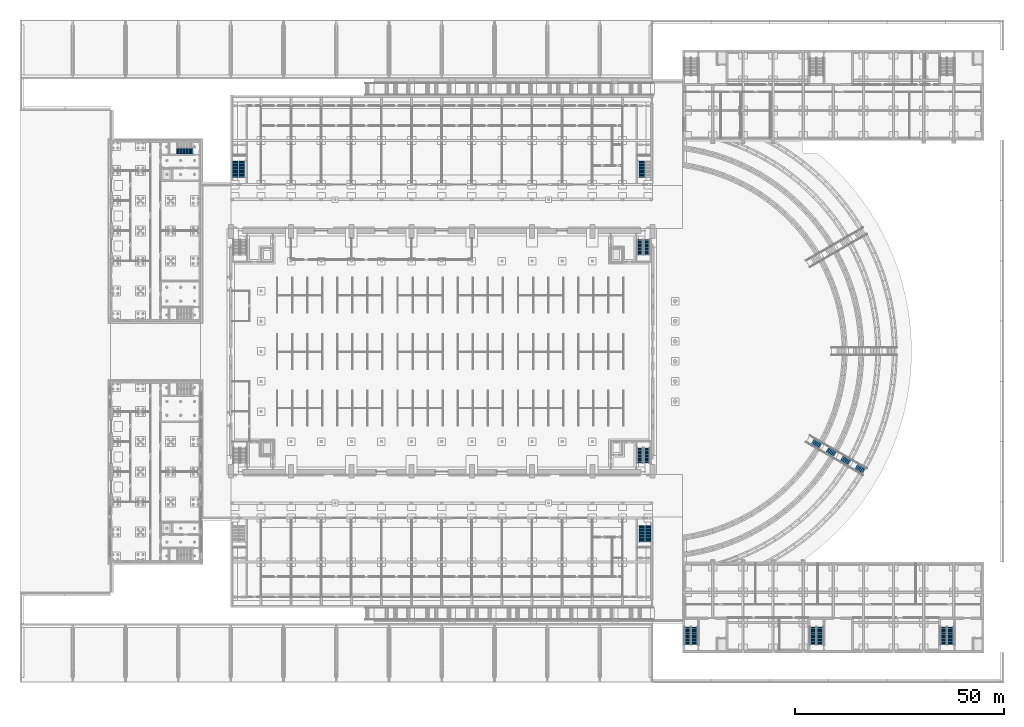
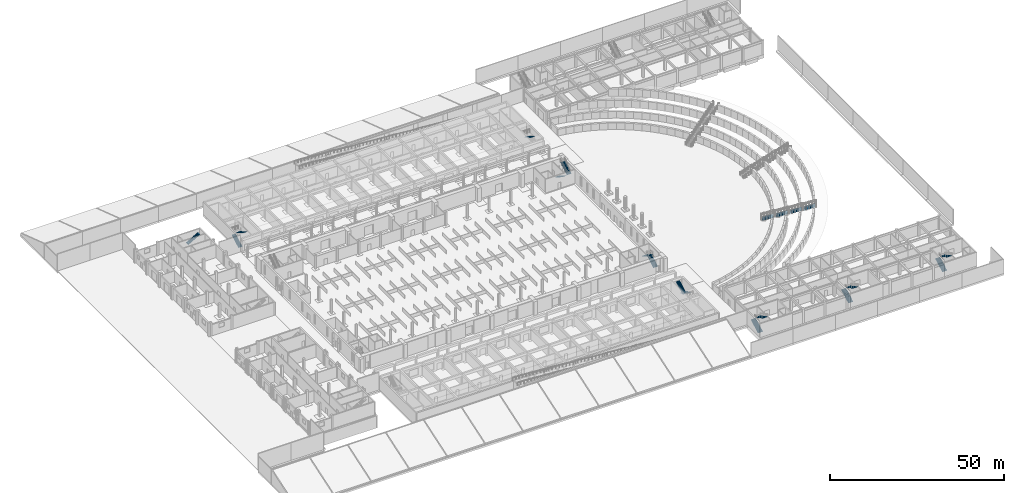
# One storey, part 60 of 73: 20 stair flights, 13 elements without a shape of their own.
"""IFC4 building model written with IfcOpenShell, lengths in metres."""

from ifc_helpers import new_model, si_unit, direction, frame, origin, place, context, subcontext, project, spatial, polyline, outline, extrude, material, type_object, element, aggregate, save


model = new_model("IFC4")

# Units and contexts
model_context = context("Model", 3, precision=1e-05, world=origin(), true_north=direction((0.0, 1.0)))
body_context = subcontext(model_context, "Body", "Model", "MODEL_VIEW")
ifc_project = project(units=[si_unit("LENGTHUNIT", "METRE"), si_unit("AREAUNIT", "SQUARE_METRE"), si_unit("VOLUMEUNIT", "CUBIC_METRE"), si_unit("PLANEANGLEUNIT", "RADIAN"), si_unit("MASSUNIT", "GRAM", prefix="KILO")], contexts=[model_context])

# Site, building, storey
site_placement = place(None, origin())
site = spatial("IfcSite", under=ifc_project, at=site_placement, CompositionType="ELEMENT")
building_placement = place(site_placement, origin())
building = spatial("IfcBuilding", under=site, at=building_placement, Name="Alderwick Market Hall", CompositionType="ELEMENT")
storey_placement = place(building_placement, origin())
storey = spatial("IfcBuildingStorey", under=building, at=storey_placement, Name="LG", CompositionType="ELEMENT", Elevation=0.0)

# Stair, stair flights
ifc_material = material(Name="Concrete 5000 psi (f'c 35 MPa)", Category="concrete")
stair_type_1 = type_object("IfcStairType", Name="A Roof Stair 1300", PredefinedType="TWO_STRAIGHT_RUN_STAIR", material=ifc_material)
stair_1_placement = place(storey_placement, origin())
stair_1 = element("IfcStair", 1, at=stair_1_placement, inside=storey, type_object=stair_type_1, Name="Roof stair NW", PredefinedType="TWO_STRAIGHT_RUN_STAIR")
stair_flight_type_1 = type_object("IfcStairFlightType", Name="A Stair Flight 1300", PredefinedType="STRAIGHT", material=ifc_material)
stair_flight_1_placement = place(storey_placement, frame((51.449951171875, 120.800048828125, 0.0), z_axis=(0.0, 0.0, 1.0), x_axis=(0.0, 1.0, 0.0)))
stair_flight_1 = element("IfcStairFlight", 2, at=stair_flight_1_placement, type_object=stair_flight_type_1, Name="A-ST-NW flight 1", NumberOfRisers=15, NumberOfTreads=14, PredefinedType="STRAIGHT", RiserHeight=0.16, TreadLength=0.28, context=body_context, shape_type="SweptSolid", body=[
    extrude(outline(polyline([(0.00537109375, -0.009521484375), (0.0, 0.0), (0.0, 0.159912109375), (0.280029296875, 0.159912109375), (0.280029296875, 0.320068359375), (0.56005859375, 0.320068359375), (0.56005859375, 0.47998046875), (0.840087890625, 0.47998046875), (0.840087890625, 0.639892578125), (1.1201171875, 0.639892578125), (1.1201171875, 0.800048828125), (1.39990234375, 0.800048828125), (1.39990234375, 0.9599609375), (1.679931640625, 0.9599609375), (1.679931640625, 1.1201171875), (1.9599609375, 1.1201171875), (1.9599609375, 1.280029296875), (2.239990234375, 1.280029296875), (2.239990234375, 1.43994140625), (2.52001953125, 1.43994140625), (2.52001953125, 1.60009765625), (2.800048828125, 1.60009765625), (2.800048828125, 1.760009765625), (3.080078125, 1.760009765625), (3.080078125, 1.919921875), (3.360107421875, 1.919921875), (3.360107421875, 2.080078125), (3.639892578125, 2.080078125), (3.639892578125, 2.239990234375), (3.919921875, 2.239990234375), (3.919921875, 2.227294921875), (0.00537109375, -0.009521484375)])), frame((0.0, 0.64990234375, 0.0), z_axis=(0.0, -1.0, 0.0), x_axis=(1.0, 0.0, 0.0)), (0.0, 0.0, 1.0), 1.300048828125),
])
stair_flight_2_placement = place(storey_placement, frame((53.0, 124.719970703125, 2.39990234375), z_axis=(0.0, 0.0, 1.0), x_axis=(0.0, -1.0, 0.0)))
stair_flight_2 = element("IfcStairFlight", 3, at=stair_flight_2_placement, type_object=stair_flight_type_1, Name="A-ST-NW flight 2", NumberOfRisers=15, NumberOfTreads=14, PredefinedType="STRAIGHT", RiserHeight=0.16, TreadLength=0.28, context=body_context, shape_type="SweptSolid", body=[
    extrude(outline(polyline([(0.00537109375, -0.009521484375), (0.0, 0.0), (0.0, 0.159912109375), (0.280029296875, 0.159912109375), (0.280029296875, 0.320068359375), (0.56005859375, 0.320068359375), (0.56005859375, 0.47998046875), (0.840087890625, 0.47998046875), (0.840087890625, 0.639892578125), (1.1201171875, 0.639892578125), (1.1201171875, 0.800048828125), (1.39990234375, 0.800048828125), (1.39990234375, 0.9599609375), (1.679931640625, 0.9599609375), (1.679931640625, 1.1201171875), (1.9599609375, 1.1201171875), (1.9599609375, 1.280029296875), (2.239990234375, 1.280029296875), (2.239990234375, 1.43994140625), (2.52001953125, 1.43994140625), (2.52001953125, 1.60009765625), (2.800048828125, 1.60009765625), (2.800048828125, 1.760009765625), (3.080078125, 1.760009765625), (3.080078125, 1.919921875), (3.360107421875, 1.919921875), (3.360107421875, 2.080078125), (3.639892578125, 2.080078125), (3.639892578125, 2.239990234375), (3.919921875, 2.239990234375), (3.919921875, 2.227294921875), (0.00537109375, -0.009521484375)])), frame((0.0, 0.64990234375, 0.0), z_axis=(0.0, -1.0, 0.0), x_axis=(1.0, 0.0, 0.0)), (0.0, 0.0, 1.0), 1.300048828125),
])
aggregate(stair_1, [stair_flight_1, stair_flight_2])

# Stair, stair flight
stair_2_placement = place(storey_placement, origin())
stair_2 = element("IfcStair", 4, at=stair_2_placement, inside=storey, type_object=stair_type_1, Name="Roof stair NE", PredefinedType="TWO_STRAIGHT_RUN_STAIR")
stair_flight_3_placement = place(storey_placement, frame((148.60009765625, 124.719970703125, 2.39990234375), z_axis=(0.0, 0.0, 1.0), x_axis=(0.0, -1.0, 0.0)))
stair_flight_3 = element("IfcStairFlight", 5, at=stair_flight_3_placement, type_object=stair_flight_type_1, Name="A-ST-NE flight 2", NumberOfRisers=15, NumberOfTreads=14, PredefinedType="STRAIGHT", RiserHeight=0.16, TreadLength=0.28, context=body_context, shape_type="SweptSolid", body=[
    extrude(outline(polyline([(0.00537109375, -0.009521484375), (0.0, 0.0), (0.0, 0.159912109375), (0.280029296875, 0.159912109375), (0.280029296875, 0.320068359375), (0.56005859375, 0.320068359375), (0.56005859375, 0.47998046875), (0.840087890625, 0.47998046875), (0.840087890625, 0.639892578125), (1.1201171875, 0.639892578125), (1.1201171875, 0.800048828125), (1.39990234375, 0.800048828125), (1.39990234375, 0.9599609375), (1.679931640625, 0.9599609375), (1.679931640625, 1.1201171875), (1.9599609375, 1.1201171875), (1.9599609375, 1.280029296875), (2.239990234375, 1.280029296875), (2.239990234375, 1.43994140625), (2.52001953125, 1.43994140625), (2.52001953125, 1.60009765625), (2.800048828125, 1.60009765625), (2.800048828125, 1.760009765625), (3.080078125, 1.760009765625), (3.080078125, 1.919921875), (3.360107421875, 1.919921875), (3.360107421875, 2.080078125), (3.639892578125, 2.080078125), (3.639892578125, 2.239990234375), (3.919921875, 2.239990234375), (3.919921875, 2.227294921875), (0.00537109375, -0.009521484375)])), frame((0.0, 0.64990234375, 0.0), z_axis=(0.0, -1.0, 0.0), x_axis=(1.0, 0.0, 0.0)), (0.0, 0.0, 1.0), 1.300048828125),
])
aggregate(stair_2, [stair_flight_3])

# Stair, stair flights
stair_3_placement = place(storey_placement, origin())
stair_3 = element("IfcStair", 6, at=stair_3_placement, inside=storey, type_object=stair_type_1, Name="Roof stair SE", PredefinedType="TWO_STRAIGHT_RUN_STAIR")
stair_flight_4_placement = place(storey_placement, frame((150.14990234375, 37.60009765625, 0.0), z_axis=(0.0, 0.0, 1.0), x_axis=(0.0, -1.0, 0.0)))
stair_flight_4 = element("IfcStairFlight", 7, at=stair_flight_4_placement, type_object=stair_flight_type_1, Name="A-ST-SE flight 1", NumberOfRisers=15, NumberOfTreads=14, PredefinedType="STRAIGHT", RiserHeight=0.16, TreadLength=0.28, context=body_context, shape_type="SweptSolid", body=[
    extrude(outline(polyline([(0.00537109375, -0.009521484375), (0.0, 0.0), (0.0, 0.159912109375), (0.280029296875, 0.159912109375), (0.280029296875, 0.320068359375), (0.56005859375, 0.320068359375), (0.56005859375, 0.47998046875), (0.840087890625, 0.47998046875), (0.840087890625, 0.639892578125), (1.1201171875, 0.639892578125), (1.1201171875, 0.800048828125), (1.39990234375, 0.800048828125), (1.39990234375, 0.9599609375), (1.679931640625, 0.9599609375), (1.679931640625, 1.1201171875), (1.9599609375, 1.1201171875), (1.9599609375, 1.280029296875), (2.239990234375, 1.280029296875), (2.239990234375, 1.43994140625), (2.52001953125, 1.43994140625), (2.52001953125, 1.60009765625), (2.800048828125, 1.60009765625), (2.800048828125, 1.760009765625), (3.080078125, 1.760009765625), (3.080078125, 1.919921875), (3.360107421875, 1.919921875), (3.360107421875, 2.080078125), (3.639892578125, 2.080078125), (3.639892578125, 2.239990234375), (3.919921875, 2.239990234375), (3.919921875, 2.227294921875), (0.00537109375, -0.009521484375)])), frame((0.0, 0.64990234375, 0.0), z_axis=(0.0, -1.0, 0.0), x_axis=(1.0, 0.0, 0.0)), (0.0, 0.0, 1.0), 1.300048828125),
])
stair_flight_5_placement = place(storey_placement, frame((148.60009765625, 33.679931640625, 2.39990234375), z_axis=(0.0, 0.0, 1.0), x_axis=(0.0, 1.0, 0.0)))
stair_flight_5 = element("IfcStairFlight", 8, at=stair_flight_5_placement, type_object=stair_flight_type_1, Name="A-ST-SE flight 2", NumberOfRisers=15, NumberOfTreads=14, PredefinedType="STRAIGHT", RiserHeight=0.16, TreadLength=0.28, context=body_context, shape_type="SweptSolid", body=[
    extrude(outline(polyline([(0.00537109375, -0.009521484375), (0.0, 0.0), (0.0, 0.159912109375), (0.280029296875, 0.159912109375), (0.280029296875, 0.320068359375), (0.56005859375, 0.320068359375), (0.56005859375, 0.47998046875), (0.840087890625, 0.47998046875), (0.840087890625, 0.639892578125), (1.1201171875, 0.639892578125), (1.1201171875, 0.800048828125), (1.39990234375, 0.800048828125), (1.39990234375, 0.9599609375), (1.679931640625, 0.9599609375), (1.679931640625, 1.1201171875), (1.9599609375, 1.1201171875), (1.9599609375, 1.280029296875), (2.239990234375, 1.280029296875), (2.239990234375, 1.43994140625), (2.52001953125, 1.43994140625), (2.52001953125, 1.60009765625), (2.800048828125, 1.60009765625), (2.800048828125, 1.760009765625), (3.080078125, 1.760009765625), (3.080078125, 1.919921875), (3.360107421875, 1.919921875), (3.360107421875, 2.080078125), (3.639892578125, 2.080078125), (3.639892578125, 2.239990234375), (3.919921875, 2.239990234375), (3.919921875, 2.227294921875), (0.00537109375, -0.009521484375)])), frame((0.0, 0.64990234375, 0.0), z_axis=(0.0, -1.0, 0.0), x_axis=(1.0, 0.0, 0.0)), (0.0, 0.0, 1.0), 1.300048828125),
])
aggregate(stair_3, [stair_flight_4, stair_flight_5])

# Stair, stair flight
stair_type_2 = type_object("IfcStairType", Name="B Exit Stair 1300", PredefinedType="TWO_STRAIGHT_RUN_STAIR", material=ifc_material)
stair_4_placement = place(storey_placement, origin())
stair_4 = element("IfcStair", 9, at=stair_4_placement, inside=storey, type_object=stair_type_2, Name="Stair N-1 LG", PredefinedType="TWO_STRAIGHT_RUN_STAIR")
stair_flight_type_2 = type_object("IfcStairFlightType", Name="B Stair Flight 1300", PredefinedType="STRAIGHT", material=ifc_material)
stair_flight_6_placement = place(storey_placement, frame((37.3798828125, 127.0, 2.39990234375), z_axis=(0.0, 0.0, 1.0), x_axis=(1.0, 0.0, 0.0)))
stair_flight_6 = element("IfcStairFlight", 10, at=stair_flight_6_placement, type_object=stair_flight_type_2, Name="B-ST-N-1-LG flight 2", NumberOfRisers=15, NumberOfTreads=14, PredefinedType="STRAIGHT", RiserHeight=0.16, TreadLength=0.28, context=body_context, shape_type="SweptSolid", body=[
    extrude(outline(polyline([(0.00537109375, -0.009521484375), (0.0, 0.0), (0.0, 0.159912109375), (0.280029296875, 0.159912109375), (0.280029296875, 0.320068359375), (0.56005859375, 0.320068359375), (0.56005859375, 0.47998046875), (0.840087890625, 0.47998046875), (0.840087890625, 0.639892578125), (1.1201171875, 0.639892578125), (1.1201171875, 0.800048828125), (1.39990234375, 0.800048828125), (1.39990234375, 0.9599609375), (1.679931640625, 0.9599609375), (1.679931640625, 1.1201171875), (1.9599609375, 1.1201171875), (1.9599609375, 1.280029296875), (2.239990234375, 1.280029296875), (2.239990234375, 1.43994140625), (2.52001953125, 1.43994140625), (2.52001953125, 1.60009765625), (2.800048828125, 1.60009765625), (2.800048828125, 1.760009765625), (3.080078125, 1.760009765625), (3.080078125, 1.919921875), (3.360107421875, 1.919921875), (3.360107421875, 2.080078125), (3.639892578125, 2.080078125), (3.639892578125, 2.239990234375), (3.919921875, 2.239990234375), (3.919921875, 2.227294921875), (0.00537109375, -0.009521484375)])), frame((0.0, 0.64990234375, 0.0), z_axis=(0.0, -1.0, 0.0), x_axis=(1.0, 0.0, 0.0)), (0.0, 0.0, 1.0), 1.300048828125),
])
aggregate(stair_4, [stair_flight_6])

# Stair, stair flights
stair_type_3 = type_object("IfcStairType", Name="C Exit Stair 1600", PredefinedType="HALF_TURN_STAIR", material=ifc_material)
stair_5_placement = place(storey_placement, origin())
stair_5 = element("IfcStair", 11, at=stair_5_placement, inside=storey, type_object=stair_type_3, Name="C.stair.LG.A", PredefinedType="HALF_TURN_STAIR")
stair_flight_type_3 = type_object("IfcStairFlightType", Name="C Stair Flight 1600", PredefinedType="STRAIGHT", material=ifc_material)
stair_flight_7_placement = place(storey_placement, frame((159.60009765625, 9.10009765625, 0.0), z_axis=(0.0, 0.0, 1.0), x_axis=(0.0, 1.0, 0.0)))
stair_flight_7 = element("IfcStairFlight", 12, at=stair_flight_7_placement, type_object=stair_flight_type_3, Name="C-ST-A-LG flight 1", NumberOfRisers=16, NumberOfTreads=15, PredefinedType="STRAIGHT", RiserHeight=0.15, TreadLength=0.28, context=body_context, shape_type="SweptSolid", body=[
    extrude(outline(polyline([(0.00830078125, -0.015625), (0.0, 0.0), (0.0, 0.14990234375), (0.280029296875, 0.14990234375), (0.280029296875, 0.300048828125), (0.56005859375, 0.300048828125), (0.56005859375, 0.449951171875), (0.840087890625, 0.449951171875), (0.840087890625, 0.60009765625), (1.1201171875, 0.60009765625), (1.1201171875, 0.75), (1.39990234375, 0.75), (1.39990234375, 0.89990234375), (1.679931640625, 0.89990234375), (1.679931640625, 1.050048828125), (1.9599609375, 1.050048828125), (1.9599609375, 1.199951171875), (2.239990234375, 1.199951171875), (2.239990234375, 1.35009765625), (2.52001953125, 1.35009765625), (2.52001953125, 1.5), (2.800048828125, 1.5), (2.800048828125, 1.64990234375), (3.080078125, 1.64990234375), (3.080078125, 1.800048828125), (3.360107421875, 1.800048828125), (3.360107421875, 1.949951171875), (3.639892578125, 1.949951171875), (3.639892578125, 2.10009765625), (3.919921875, 2.10009765625), (3.919921875, 2.25), (4.199951171875, 2.25), (4.199951171875, 2.22998046875), (0.00830078125, -0.015625)])), frame((0.0, 0.800048828125, 0.0), z_axis=(0.0, -1.0, 0.0), x_axis=(1.0, 0.0, 0.0)), (0.0, 0.0, 1.0), 1.60009765625),
])
stair_flight_8_placement = place(storey_placement, frame((161.199951171875, 13.300048828125, 2.39990234375), z_axis=(0.0, 0.0, 1.0), x_axis=(0.0, -1.0, 0.0)))
stair_flight_8 = element("IfcStairFlight", 13, at=stair_flight_8_placement, type_object=stair_flight_type_3, Name="C-ST-A-LG flight 2", NumberOfRisers=16, NumberOfTreads=15, PredefinedType="STRAIGHT", RiserHeight=0.15, TreadLength=0.28, context=body_context, shape_type="SweptSolid", body=[
    extrude(outline(polyline([(0.00830078125, -0.015625), (0.0, 0.0), (0.0, 0.14990234375), (0.280029296875, 0.14990234375), (0.280029296875, 0.300048828125), (0.56005859375, 0.300048828125), (0.56005859375, 0.449951171875), (0.840087890625, 0.449951171875), (0.840087890625, 0.60009765625), (1.1201171875, 0.60009765625), (1.1201171875, 0.75), (1.39990234375, 0.75), (1.39990234375, 0.89990234375), (1.679931640625, 0.89990234375), (1.679931640625, 1.050048828125), (1.9599609375, 1.050048828125), (1.9599609375, 1.199951171875), (2.239990234375, 1.199951171875), (2.239990234375, 1.35009765625), (2.52001953125, 1.35009765625), (2.52001953125, 1.5), (2.800048828125, 1.5), (2.800048828125, 1.64990234375), (3.080078125, 1.64990234375), (3.080078125, 1.800048828125), (3.360107421875, 1.800048828125), (3.360107421875, 1.949951171875), (3.639892578125, 1.949951171875), (3.639892578125, 2.10009765625), (3.919921875, 2.10009765625), (3.919921875, 2.25), (4.199951171875, 2.25), (4.199951171875, 2.22998046875), (0.00830078125, -0.015625)])), frame((0.0, 0.800048828125, 0.0), z_axis=(0.0, -1.0, 0.0), x_axis=(1.0, 0.0, 0.0)), (0.0, 0.0, 1.0), 1.60009765625),
])
aggregate(stair_5, [stair_flight_7, stair_flight_8])

stair_6_placement = place(storey_placement, origin())
stair_6 = element("IfcStair", 14, at=stair_6_placement, inside=storey, type_object=stair_type_3, Name="C.stair.LG.B", PredefinedType="HALF_TURN_STAIR")
stair_flight_9_placement = place(storey_placement, frame((189.60009765625, 9.10009765625, 0.0), z_axis=(0.0, 0.0, 1.0), x_axis=(0.0, 1.0, 0.0)))
stair_flight_9 = element("IfcStairFlight", 15, at=stair_flight_9_placement, type_object=stair_flight_type_3, Name="C-ST-B-LG flight 1", NumberOfRisers=16, NumberOfTreads=15, PredefinedType="STRAIGHT", RiserHeight=0.15, TreadLength=0.28, context=body_context, shape_type="SweptSolid", body=[
    extrude(outline(polyline([(0.00830078125, -0.015625), (0.0, 0.0), (0.0, 0.14990234375), (0.280029296875, 0.14990234375), (0.280029296875, 0.300048828125), (0.56005859375, 0.300048828125), (0.56005859375, 0.449951171875), (0.840087890625, 0.449951171875), (0.840087890625, 0.60009765625), (1.1201171875, 0.60009765625), (1.1201171875, 0.75), (1.39990234375, 0.75), (1.39990234375, 0.89990234375), (1.679931640625, 0.89990234375), (1.679931640625, 1.050048828125), (1.9599609375, 1.050048828125), (1.9599609375, 1.199951171875), (2.239990234375, 1.199951171875), (2.239990234375, 1.35009765625), (2.52001953125, 1.35009765625), (2.52001953125, 1.5), (2.800048828125, 1.5), (2.800048828125, 1.64990234375), (3.080078125, 1.64990234375), (3.080078125, 1.800048828125), (3.360107421875, 1.800048828125), (3.360107421875, 1.949951171875), (3.639892578125, 1.949951171875), (3.639892578125, 2.10009765625), (3.919921875, 2.10009765625), (3.919921875, 2.25), (4.199951171875, 2.25), (4.199951171875, 2.22998046875), (0.00830078125, -0.015625)])), frame((0.0, 0.800048828125, 0.0), z_axis=(0.0, -1.0, 0.0), x_axis=(1.0, 0.0, 0.0)), (0.0, 0.0, 1.0), 1.60009765625),
])
stair_flight_10_placement = place(storey_placement, frame((191.199951171875, 13.300048828125, 2.39990234375), z_axis=(0.0, 0.0, 1.0), x_axis=(0.0, -1.0, 0.0)))
stair_flight_10 = element("IfcStairFlight", 16, at=stair_flight_10_placement, type_object=stair_flight_type_3, Name="C-ST-B-LG flight 2", NumberOfRisers=16, NumberOfTreads=15, PredefinedType="STRAIGHT", RiserHeight=0.15, TreadLength=0.28, context=body_context, shape_type="SweptSolid", body=[
    extrude(outline(polyline([(0.00830078125, -0.015625), (0.0, 0.0), (0.0, 0.14990234375), (0.280029296875, 0.14990234375), (0.280029296875, 0.300048828125), (0.56005859375, 0.300048828125), (0.56005859375, 0.449951171875), (0.840087890625, 0.449951171875), (0.840087890625, 0.60009765625), (1.1201171875, 0.60009765625), (1.1201171875, 0.75), (1.39990234375, 0.75), (1.39990234375, 0.89990234375), (1.679931640625, 0.89990234375), (1.679931640625, 1.050048828125), (1.9599609375, 1.050048828125), (1.9599609375, 1.199951171875), (2.239990234375, 1.199951171875), (2.239990234375, 1.35009765625), (2.52001953125, 1.35009765625), (2.52001953125, 1.5), (2.800048828125, 1.5), (2.800048828125, 1.64990234375), (3.080078125, 1.64990234375), (3.080078125, 1.800048828125), (3.360107421875, 1.800048828125), (3.360107421875, 1.949951171875), (3.639892578125, 1.949951171875), (3.639892578125, 2.10009765625), (3.919921875, 2.10009765625), (3.919921875, 2.25), (4.199951171875, 2.25), (4.199951171875, 2.22998046875), (0.00830078125, -0.015625)])), frame((0.0, 0.800048828125, 0.0), z_axis=(0.0, -1.0, 0.0), x_axis=(1.0, 0.0, 0.0)), (0.0, 0.0, 1.0), 1.60009765625),
])
aggregate(stair_6, [stair_flight_9, stair_flight_10])

stair_7_placement = place(storey_placement, origin())
stair_7 = element("IfcStair", 17, at=stair_7_placement, inside=storey, type_object=stair_type_3, Name="C.stair.LG.C", PredefinedType="HALF_TURN_STAIR")
stair_flight_11_placement = place(storey_placement, frame((220.800048828125, 9.10009765625, 0.0), z_axis=(0.0, 0.0, 1.0), x_axis=(0.0, 1.0, 0.0)))
stair_flight_11 = element("IfcStairFlight", 18, at=stair_flight_11_placement, type_object=stair_flight_type_3, Name="C-ST-C-LG flight 1", NumberOfRisers=16, NumberOfTreads=15, PredefinedType="STRAIGHT", RiserHeight=0.15, TreadLength=0.28, context=body_context, shape_type="SweptSolid", body=[
    extrude(outline(polyline([(0.00830078125, -0.015625), (0.0, 0.0), (0.0, 0.14990234375), (0.280029296875, 0.14990234375), (0.280029296875, 0.300048828125), (0.56005859375, 0.300048828125), (0.56005859375, 0.449951171875), (0.840087890625, 0.449951171875), (0.840087890625, 0.60009765625), (1.1201171875, 0.60009765625), (1.1201171875, 0.75), (1.39990234375, 0.75), (1.39990234375, 0.89990234375), (1.679931640625, 0.89990234375), (1.679931640625, 1.050048828125), (1.9599609375, 1.050048828125), (1.9599609375, 1.199951171875), (2.239990234375, 1.199951171875), (2.239990234375, 1.35009765625), (2.52001953125, 1.35009765625), (2.52001953125, 1.5), (2.800048828125, 1.5), (2.800048828125, 1.64990234375), (3.080078125, 1.64990234375), (3.080078125, 1.800048828125), (3.360107421875, 1.800048828125), (3.360107421875, 1.949951171875), (3.639892578125, 1.949951171875), (3.639892578125, 2.10009765625), (3.919921875, 2.10009765625), (3.919921875, 2.25), (4.199951171875, 2.25), (4.199951171875, 2.22998046875), (0.00830078125, -0.015625)])), frame((0.0, 0.800048828125, 0.0), z_axis=(0.0, -1.0, 0.0), x_axis=(1.0, 0.0, 0.0)), (0.0, 0.0, 1.0), 1.60009765625),
])
stair_flight_12_placement = place(storey_placement, frame((222.39990234375, 13.300048828125, 2.39990234375), z_axis=(0.0, 0.0, 1.0), x_axis=(0.0, -1.0, 0.0)))
stair_flight_12 = element("IfcStairFlight", 19, at=stair_flight_12_placement, type_object=stair_flight_type_3, Name="C-ST-C-LG flight 2", NumberOfRisers=16, NumberOfTreads=15, PredefinedType="STRAIGHT", RiserHeight=0.15, TreadLength=0.28, context=body_context, shape_type="SweptSolid", body=[
    extrude(outline(polyline([(0.00830078125, -0.015625), (0.0, 0.0), (0.0, 0.14990234375), (0.280029296875, 0.14990234375), (0.280029296875, 0.300048828125), (0.56005859375, 0.300048828125), (0.56005859375, 0.449951171875), (0.840087890625, 0.449951171875), (0.840087890625, 0.60009765625), (1.1201171875, 0.60009765625), (1.1201171875, 0.75), (1.39990234375, 0.75), (1.39990234375, 0.89990234375), (1.679931640625, 0.89990234375), (1.679931640625, 1.050048828125), (1.9599609375, 1.050048828125), (1.9599609375, 1.199951171875), (2.239990234375, 1.199951171875), (2.239990234375, 1.35009765625), (2.52001953125, 1.35009765625), (2.52001953125, 1.5), (2.800048828125, 1.5), (2.800048828125, 1.64990234375), (3.080078125, 1.64990234375), (3.080078125, 1.800048828125), (3.360107421875, 1.800048828125), (3.360107421875, 1.949951171875), (3.639892578125, 1.949951171875), (3.639892578125, 2.10009765625), (3.919921875, 2.10009765625), (3.919921875, 2.25), (4.199951171875, 2.25), (4.199951171875, 2.22998046875), (0.00830078125, -0.015625)])), frame((0.0, 0.800048828125, 0.0), z_axis=(0.0, -1.0, 0.0), x_axis=(1.0, 0.0, 0.0)), (0.0, 0.0, 1.0), 1.60009765625),
])
aggregate(stair_7, [stair_flight_11, stair_flight_12])

stair_type_4 = type_object("IfcStairType", Name="H Stair 1500", PredefinedType="HALF_TURN_STAIR", material=ifc_material)
stair_8_placement = place(storey_placement, origin())
stair_8 = element("IfcStair", 20, at=stair_8_placement, inside=storey, type_object=stair_type_4, Name="LG Exit stair H-SE", PredefinedType="HALF_TURN_STAIR")
stair_flight_type_4 = type_object("IfcStairFlightType", Name="H Stair flight 1500", PredefinedType="STRAIGHT", material=ifc_material)
stair_flight_13_placement = place(storey_placement, frame((149.85009765625, 52.5, 0.0), z_axis=(0.0, 0.0, 1.0), x_axis=(0.0, 1.0, 0.0)))
stair_flight_13 = element("IfcStairFlight", 21, at=stair_flight_13_placement, type_object=stair_flight_type_4, Name="H-SE flight 1", NumberOfRisers=14, NumberOfTreads=13, PredefinedType="STRAIGHT", RiserHeight=0.171428571, TreadLength=0.28, context=body_context, shape_type="SweptSolid", body=[
    extrude(outline(polyline([(0.001953125, -0.003173828125), (0.0, 0.0), (0.0, 0.17138671875), (0.280029296875, 0.17138671875), (0.280029296875, 0.3427734375), (0.56005859375, 0.3427734375), (0.56005859375, 0.514404296875), (0.840087890625, 0.514404296875), (0.840087890625, 0.685791015625), (1.1201171875, 0.685791015625), (1.1201171875, 0.857177734375), (1.39990234375, 0.857177734375), (1.39990234375, 1.028564453125), (1.679931640625, 1.028564453125), (1.679931640625, 1.199951171875), (1.9599609375, 1.199951171875), (1.9599609375, 1.371337890625), (2.239990234375, 1.371337890625), (2.239990234375, 1.54296875), (2.52001953125, 1.54296875), (2.52001953125, 1.71435546875), (2.800048828125, 1.71435546875), (2.800048828125, 1.8857421875), (3.080078125, 1.8857421875), (3.080078125, 2.05712890625), (3.360107421875, 2.05712890625), (3.360107421875, 2.228515625), (3.639892578125, 2.228515625), (3.639892578125, 2.22412109375), (0.001953125, -0.003173828125)])), frame((0.0, 0.75, 0.0), z_axis=(0.0, -1.0, 0.0), x_axis=(1.0, 0.0, 0.0)), (0.0, 0.0, 1.0), 1.5),
])
stair_flight_14_placement = place(storey_placement, frame((148.199951171875, 56.139892578125, 2.39990234375), z_axis=(0.0, 0.0, 1.0), x_axis=(0.0, -1.0, 0.0)))
stair_flight_14 = element("IfcStairFlight", 22, at=stair_flight_14_placement, type_object=stair_flight_type_4, Name="H-SE flight 2", NumberOfRisers=14, NumberOfTreads=13, PredefinedType="STRAIGHT", RiserHeight=0.171428571, TreadLength=0.28, context=body_context, shape_type="SweptSolid", body=[
    extrude(outline(polyline([(0.001953125, -0.003173828125), (0.0, 0.0), (0.0, 0.17138671875), (0.280029296875, 0.17138671875), (0.280029296875, 0.3427734375), (0.56005859375, 0.3427734375), (0.56005859375, 0.514404296875), (0.840087890625, 0.514404296875), (0.840087890625, 0.685791015625), (1.1201171875, 0.685791015625), (1.1201171875, 0.857177734375), (1.39990234375, 0.857177734375), (1.39990234375, 1.028564453125), (1.679931640625, 1.028564453125), (1.679931640625, 1.199951171875), (1.9599609375, 1.199951171875), (1.9599609375, 1.371337890625), (2.239990234375, 1.371337890625), (2.239990234375, 1.54296875), (2.52001953125, 1.54296875), (2.52001953125, 1.71435546875), (2.800048828125, 1.71435546875), (2.800048828125, 1.8857421875), (3.080078125, 1.8857421875), (3.080078125, 2.05712890625), (3.360107421875, 2.05712890625), (3.360107421875, 2.228515625), (3.639892578125, 2.228515625), (3.639892578125, 2.22412109375), (0.001953125, -0.003173828125)])), frame((0.0, 0.75, 0.0), z_axis=(0.0, -1.0, 0.0), x_axis=(1.0, 0.0, 0.0)), (0.0, 0.0, 1.0), 1.5),
])
aggregate(stair_8, [stair_flight_13, stair_flight_14])

stair_9_placement = place(storey_placement, origin())
stair_9 = element("IfcStair", 23, at=stair_9_placement, inside=storey, type_object=stair_type_4, Name="LG Exit stair H-NE", PredefinedType="HALF_TURN_STAIR")
stair_flight_15_placement = place(storey_placement, frame((148.199951171875, 105.89990234375, 0.0), z_axis=(0.0, 0.0, 1.0), x_axis=(0.0, -1.0, 0.0)))
stair_flight_15 = element("IfcStairFlight", 24, at=stair_flight_15_placement, type_object=stair_flight_type_4, Name="H-NE flight 1", NumberOfRisers=14, NumberOfTreads=13, PredefinedType="STRAIGHT", RiserHeight=0.171428571, TreadLength=0.28, context=body_context, shape_type="SweptSolid", body=[
    extrude(outline(polyline([(0.001953125, -0.003173828125), (0.0, 0.0), (0.0, 0.17138671875), (0.280029296875, 0.17138671875), (0.280029296875, 0.3427734375), (0.56005859375, 0.3427734375), (0.56005859375, 0.514404296875), (0.840087890625, 0.514404296875), (0.840087890625, 0.685791015625), (1.1201171875, 0.685791015625), (1.1201171875, 0.857177734375), (1.39990234375, 0.857177734375), (1.39990234375, 1.028564453125), (1.679931640625, 1.028564453125), (1.679931640625, 1.199951171875), (1.9599609375, 1.199951171875), (1.9599609375, 1.371337890625), (2.239990234375, 1.371337890625), (2.239990234375, 1.54296875), (2.52001953125, 1.54296875), (2.52001953125, 1.71435546875), (2.800048828125, 1.71435546875), (2.800048828125, 1.8857421875), (3.080078125, 1.8857421875), (3.080078125, 2.05712890625), (3.360107421875, 2.05712890625), (3.360107421875, 2.228515625), (3.639892578125, 2.228515625), (3.639892578125, 2.22412109375), (0.001953125, -0.003173828125)])), frame((0.0, 0.75, 0.0), z_axis=(0.0, -1.0, 0.0), x_axis=(1.0, 0.0, 0.0)), (0.0, 0.0, 1.0), 1.5),
])
stair_flight_16_placement = place(storey_placement, frame((149.85009765625, 102.260009765625, 2.39990234375), z_axis=(0.0, 0.0, 1.0), x_axis=(0.0, 1.0, 0.0)))
stair_flight_16 = element("IfcStairFlight", 25, at=stair_flight_16_placement, type_object=stair_flight_type_4, Name="H-NE flight 2", NumberOfRisers=14, NumberOfTreads=13, PredefinedType="STRAIGHT", RiserHeight=0.171428571, TreadLength=0.28, context=body_context, shape_type="SweptSolid", body=[
    extrude(outline(polyline([(0.001953125, -0.003173828125), (0.0, 0.0), (0.0, 0.17138671875), (0.280029296875, 0.17138671875), (0.280029296875, 0.3427734375), (0.56005859375, 0.3427734375), (0.56005859375, 0.514404296875), (0.840087890625, 0.514404296875), (0.840087890625, 0.685791015625), (1.1201171875, 0.685791015625), (1.1201171875, 0.857177734375), (1.39990234375, 0.857177734375), (1.39990234375, 1.028564453125), (1.679931640625, 1.028564453125), (1.679931640625, 1.199951171875), (1.9599609375, 1.199951171875), (1.9599609375, 1.371337890625), (2.239990234375, 1.371337890625), (2.239990234375, 1.54296875), (2.52001953125, 1.54296875), (2.52001953125, 1.71435546875), (2.800048828125, 1.71435546875), (2.800048828125, 1.8857421875), (3.080078125, 1.8857421875), (3.080078125, 2.05712890625), (3.360107421875, 2.05712890625), (3.360107421875, 2.228515625), (3.639892578125, 2.228515625), (3.639892578125, 2.22412109375), (0.001953125, -0.003173828125)])), frame((0.0, 0.75, 0.0), z_axis=(0.0, -1.0, 0.0), x_axis=(1.0, 0.0, 0.0)), (0.0, 0.0, 1.0), 1.5),
])
aggregate(stair_9, [stair_flight_15, stair_flight_16])

# Stair, stair flight
stair_type_5 = type_object("IfcStairType", Name="S Garden Stair", PredefinedType="STRAIGHT_RUN_STAIR", material=ifc_material)
stair_10_placement = place(storey_placement, origin())
stair_10 = element("IfcStair", 26, at=stair_10_placement, inside=storey, type_object=stair_type_5, Name="Terrace stair 1.1", PredefinedType="STRAIGHT_RUN_STAIR")
stair_flight_type_5 = type_object("IfcStairFlightType", Name="S Garden Stair Flight", PredefinedType="STRAIGHT", material=ifc_material)
stair_flight_17_placement = place(storey_placement, frame((188.601806640625, 58.125732421875, 0.0), z_axis=(0.0, 0.0, 1.0), x_axis=(0.866025403784, -0.5, 0.0)))
stair_flight_17 = element("IfcStairFlight", 27, at=stair_flight_17_placement, type_object=stair_flight_type_5, Name="S-ST1 flight 1", NumberOfRisers=10, NumberOfTreads=9, PredefinedType="STRAIGHT", RiserHeight=0.12, TreadLength=0.35, context=body_context, shape_type="SweptSolid", body=[
    extrude(outline(polyline([(0.01171875, -0.034423828125), (0.0, 0.0), (0.0, 0.1201171875), (0.35009765625, 0.1201171875), (0.35009765625, 0.239990234375), (0.699951171875, 0.239990234375), (0.699951171875, 0.360107421875), (1.050048828125, 0.360107421875), (1.050048828125, 0.47998046875), (1.39990234375, 0.47998046875), (1.39990234375, 0.60009765625), (1.75, 0.60009765625), (1.75, 0.719970703125), (2.10009765625, 0.719970703125), (2.10009765625, 0.840087890625), (2.449951171875, 0.840087890625), (2.449951171875, 0.9599609375), (2.800048828125, 0.9599609375), (2.800048828125, 1.080078125), (3.14990234375, 1.080078125), (3.14990234375, 1.04150390625), (0.01171875, -0.034423828125)])), frame((0.0, 0.89990234375, 0.0), z_axis=(0.0, -1.0, 0.0), x_axis=(1.0, 0.0, 0.0)), (0.0, 0.0, 1.0), 1.800048828125),
])
aggregate(stair_10, [stair_flight_17])

stair_11_placement = place(storey_placement, origin())
stair_11 = element("IfcStair", 28, at=stair_11_placement, inside=storey, type_object=stair_type_5, Name="Terrace stair 2.1", PredefinedType="STRAIGHT_RUN_STAIR")
stair_flight_18_placement = place(storey_placement, frame((192.066650390625, 56.125244140625, 1.199951171875), z_axis=(0.0, 0.0, 1.0), x_axis=(0.866025403784, -0.5, 0.0)))
stair_flight_18 = element("IfcStairFlight", 29, at=stair_flight_18_placement, type_object=stair_flight_type_5, Name="S-ST1 flight 1", NumberOfRisers=10, NumberOfTreads=9, PredefinedType="STRAIGHT", RiserHeight=0.12, TreadLength=0.35, context=body_context, shape_type="SweptSolid", body=[
    extrude(outline(polyline([(0.01171875, -0.034423828125), (0.0, 0.0), (0.0, 0.1201171875), (0.35009765625, 0.1201171875), (0.35009765625, 0.239990234375), (0.699951171875, 0.239990234375), (0.699951171875, 0.360107421875), (1.050048828125, 0.360107421875), (1.050048828125, 0.47998046875), (1.39990234375, 0.47998046875), (1.39990234375, 0.60009765625), (1.75, 0.60009765625), (1.75, 0.719970703125), (2.10009765625, 0.719970703125), (2.10009765625, 0.840087890625), (2.449951171875, 0.840087890625), (2.449951171875, 0.9599609375), (2.800048828125, 0.9599609375), (2.800048828125, 1.080078125), (3.14990234375, 1.080078125), (3.14990234375, 1.04150390625), (0.01171875, -0.034423828125)])), frame((0.0, 0.89990234375, 0.0), z_axis=(0.0, -1.0, 0.0), x_axis=(1.0, 0.0, 0.0)), (0.0, 0.0, 1.0), 1.800048828125),
])
aggregate(stair_11, [stair_flight_18])

stair_12_placement = place(storey_placement, origin())
stair_12 = element("IfcStair", 30, at=stair_12_placement, inside=storey, type_object=stair_type_5, Name="Terrace stair 3.1", PredefinedType="STRAIGHT_RUN_STAIR")
stair_flight_19_placement = place(storey_placement, frame((195.531494140625, 54.124755859375, 2.39990234375), z_axis=(0.0, 0.0, 1.0), x_axis=(0.866025403784, -0.5, 0.0)))
stair_flight_19 = element("IfcStairFlight", 31, at=stair_flight_19_placement, type_object=stair_flight_type_5, Name="S-ST1 flight 1", NumberOfRisers=10, NumberOfTreads=9, PredefinedType="STRAIGHT", RiserHeight=0.12, TreadLength=0.35, context=body_context, shape_type="SweptSolid", body=[
    extrude(outline(polyline([(0.01171875, -0.034423828125), (0.0, 0.0), (0.0, 0.1201171875), (0.35009765625, 0.1201171875), (0.35009765625, 0.239990234375), (0.699951171875, 0.239990234375), (0.699951171875, 0.360107421875), (1.050048828125, 0.360107421875), (1.050048828125, 0.47998046875), (1.39990234375, 0.47998046875), (1.39990234375, 0.60009765625), (1.75, 0.60009765625), (1.75, 0.719970703125), (2.10009765625, 0.719970703125), (2.10009765625, 0.840087890625), (2.449951171875, 0.840087890625), (2.449951171875, 0.9599609375), (2.800048828125, 0.9599609375), (2.800048828125, 1.080078125), (3.14990234375, 1.080078125), (3.14990234375, 1.04150390625), (0.01171875, -0.034423828125)])), frame((0.0, 0.89990234375, 0.0), z_axis=(0.0, -1.0, 0.0), x_axis=(1.0, 0.0, 0.0)), (0.0, 0.0, 1.0), 1.800048828125),
])
aggregate(stair_12, [stair_flight_19])

stair_13_placement = place(storey_placement, origin())
stair_13 = element("IfcStair", 32, at=stair_13_placement, inside=storey, type_object=stair_type_5, Name="Terrace stair 4.1", PredefinedType="STRAIGHT_RUN_STAIR")
stair_flight_20_placement = place(storey_placement, frame((198.99609375, 52.12451171875, 3.60009765625), z_axis=(0.0, 0.0, 1.0), x_axis=(0.866025403784, -0.5, 0.0)))
stair_flight_20 = element("IfcStairFlight", 33, at=stair_flight_20_placement, type_object=stair_flight_type_5, Name="S-ST1 flight 1", NumberOfRisers=10, NumberOfTreads=9, PredefinedType="STRAIGHT", RiserHeight=0.12, TreadLength=0.35, context=body_context, shape_type="SweptSolid", body=[
    extrude(outline(polyline([(0.01171875, -0.034423828125), (0.0, 0.0), (0.0, 0.1201171875), (0.35009765625, 0.1201171875), (0.35009765625, 0.239990234375), (0.699951171875, 0.239990234375), (0.699951171875, 0.360107421875), (1.050048828125, 0.360107421875), (1.050048828125, 0.47998046875), (1.39990234375, 0.47998046875), (1.39990234375, 0.60009765625), (1.75, 0.60009765625), (1.75, 0.719970703125), (2.10009765625, 0.719970703125), (2.10009765625, 0.840087890625), (2.449951171875, 0.840087890625), (2.449951171875, 0.9599609375), (2.800048828125, 0.9599609375), (2.800048828125, 1.080078125), (3.14990234375, 1.080078125), (3.14990234375, 1.04150390625), (0.01171875, -0.034423828125)])), frame((0.0, 0.89990234375, 0.0), z_axis=(0.0, -1.0, 0.0), x_axis=(1.0, 0.0, 0.0)), (0.0, 0.0, 1.0), 1.800048828125),
])
aggregate(stair_13, [stair_flight_20])

save(model, "model.ifc")
